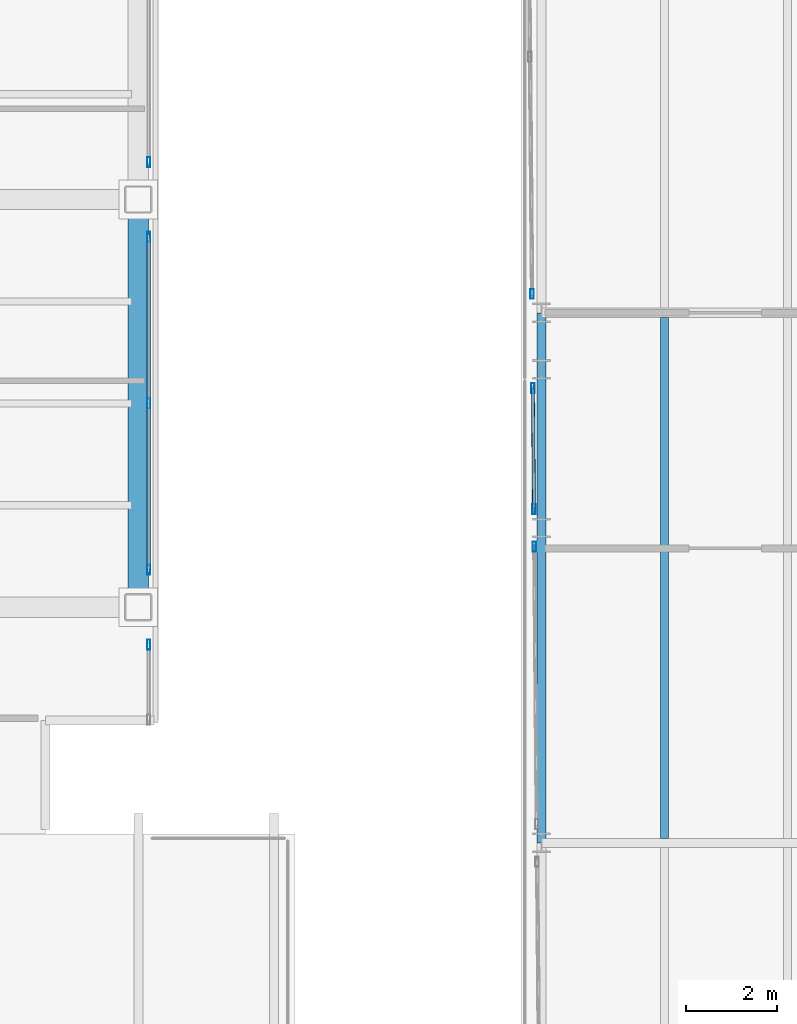
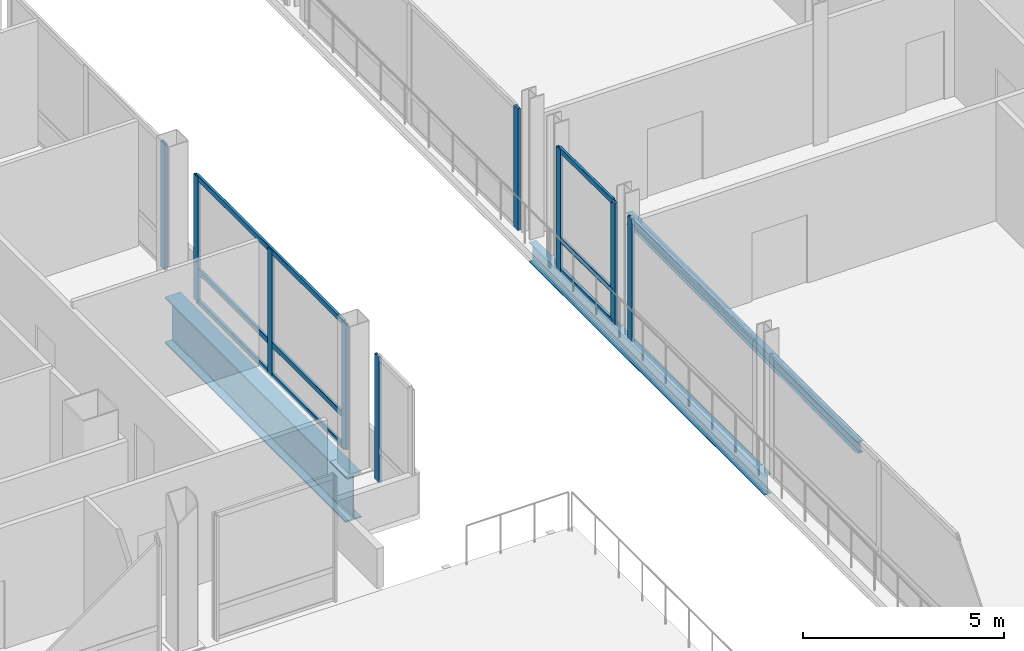
# One storey, part 15 of 34: 15 members, 3 beams, 6 elements without a shape of their own.
"""IFC4 building model written with IfcOpenShell, lengths in metres."""

from ifc_helpers import new_model, si_unit, direction, frame, origin, origin_2d, place, context, subcontext, project, spatial, hollow_rectangle, i_section, extrude, material, material_profile, profile_set, type_object, element, aggregate, save


model = new_model("IFC4")

# Units and contexts
model_context = context("Model", 3, precision=1e-05, world=origin(), true_north=direction((0.0, 1.0)))
body_context = subcontext(model_context, "Body", "Model", "MODEL_VIEW")
ifc_project = project(units=[si_unit("LENGTHUNIT", "METRE"), si_unit("AREAUNIT", "SQUARE_METRE"), si_unit("VOLUMEUNIT", "CUBIC_METRE"), si_unit("PLANEANGLEUNIT", "RADIAN"), si_unit("MASSUNIT", "GRAM", prefix="KILO")], contexts=[model_context])

# Site, building, storey
site_placement = place(None, origin())
site = spatial("IfcSite", under=ifc_project, at=site_placement, CompositionType="ELEMENT")
building_placement = place(site_placement, origin())
building = spatial("IfcBuilding", under=site, at=building_placement, Name="Noeulbin Bourse Tower", CompositionType="ELEMENT")
storey_placement = place(building_placement, frame((0.0, 0.0, 22.0)))
storey = spatial("IfcBuildingStorey", under=building, at=storey_placement, Name="L05", CompositionType="ELEMENT", Elevation=22.0)

# Beams
ifc_material_1 = material(Name="Steel S355", Category="steel")
ifc_material_profile_1 = material_profile(ifc_material_1, i_section(OverallWidth=0.199951171875, OverallDepth=0.60009765625, WebThickness=0.010986328125, FlangeThickness=0.01708984375, FilletRadius=0.02197265625, at=origin_2d()), Name="H-600x200x11x17", Category="LoadBearing")
ifc_profile_set_1 = profile_set([ifc_material_profile_1], Name="Steel S355")
beam_type_1 = type_object("IfcBeamType", Name="BM-GRD-600", PredefinedType="USERDEFINED", material=ifc_profile_set_1)
beam_1_placement = place(storey_placement, frame((60.449951171875, 14.800048828125, -0.52001953125), z_axis=(0.0, 1.0, 0.0), x_axis=(-1.0, 0.0, 0.0)))
element("IfcBeam", 1, at=beam_1_placement, inside=storey, type_object=beam_type_1, Name="Market Hall Girder NS L05-12", ObjectType="GIRDER", PredefinedType="USERDEFINED", context=body_context, shape_type="SweptSolid", body=[
    extrude(i_section(OverallWidth=0.199951171875, OverallDepth=0.60009765625, WebThickness=0.010986328125, FlangeThickness=0.01708984375, FilletRadius=0.02197265625, at=origin_2d()), origin(), (0.0, 0.0, 1.0), 11.699951171875),
])
ifc_material_profile_2 = material_profile(ifc_material_1, i_section(OverallWidth=0.175048828125, OverallDepth=0.35009765625, WebThickness=0.007080078125, FlangeThickness=0.010986328125, FilletRadius=0.013916015625, at=origin_2d()), Name="H-350x175x7x11", Category="LoadBearing")
ifc_profile_set_2 = profile_set([ifc_material_profile_2], Name="Steel S355")
beam_type_2 = type_object("IfcBeamType", Name="BM-JST-350", PredefinedType="JOIST", material=ifc_profile_set_2)
beam_2_placement = place(storey_placement, frame((63.166748046875, 14.89990234375, -0.39501953125), z_axis=(0.0, 1.0, 0.0), x_axis=(-1.0, 0.0, 0.0)))
element("IfcBeam", 2, at=beam_2_placement, inside=storey, type_object=beam_type_2, Name="Market Hall Secondary Joist L05-02", PredefinedType="JOIST", context=body_context, shape_type="SweptSolid", body=[
    extrude(i_section(OverallWidth=0.175048828125, OverallDepth=0.35009765625, WebThickness=0.007080078125, FlangeThickness=0.010986328125, FilletRadius=0.013916015625, at=origin_2d()), origin(), (0.0, 0.0, 1.0), 11.5),
])
ifc_material_2 = material(Name="Steel S460", Category="steel")
ifc_material_profile_3 = material_profile(ifc_material_2, i_section(OverallWidth=0.449951171875, OverallDepth=1.39990234375, WebThickness=0.02392578125, FlangeThickness=0.0400390625, FilletRadius=0.02392578125, at=origin_2d()), Name="PG-1400x450x24x40", Category="LoadBearing")
ifc_profile_set_3 = profile_set([ifc_material_profile_3], Name="Steel S460")
beam_type_3 = type_object("IfcBeamType", Name="BM-TRF-1400", PredefinedType="USERDEFINED", material=ifc_profile_set_3)
beam_3_placement = place(storey_placement, frame((51.550048828125, 20.0, -0.93994140625), z_axis=(0.0, 1.0, 0.0), x_axis=(-1.0, 0.0, 0.0)))
element("IfcBeam", 3, at=beam_3_placement, inside=storey, type_object=beam_type_3, Name="East Spandrel L05-1", ObjectType="GIRDER", PredefinedType="USERDEFINED", context=body_context, shape_type="SweptSolid", body=[
    extrude(i_section(OverallWidth=0.449951171875, OverallDepth=1.39990234375, WebThickness=0.02392578125, FlangeThickness=0.0400390625, FilletRadius=0.02392578125, at=origin_2d()), origin(), (0.0, 0.0, 1.0), 9.0),
])

# Curtain wall, member
ifc_material_3 = material(Name="Laminated Clear Low-E Glass", Category="glass")
curtain_wall_type_1 = type_object("IfcCurtainWallType", Name="CW-SYS-1", PredefinedType="NOTDEFINED", material=ifc_material_3)
curtain_wall_1_placement = place(storey_placement, origin())
curtain_wall_1 = element("IfcCurtainWall", 4, at=curtain_wall_1_placement, inside=storey, type_object=curtain_wall_type_1, Name="Unitised Curtain Wall CW-L05-MKT-W-S2", PredefinedType="NOTDEFINED")
ifc_material_4 = material(Name="Anodised Aluminium 6063-T6", Category="aluminium")
ifc_material_profile_4 = material_profile(ifc_material_4, hollow_rectangle(XDim=0.074951171875, YDim=0.219970703125, WallThickness=0.0048828125, InnerFilletRadius=0.00244140625, OuterFilletRadius=0.0048828125, at=origin_2d()), Name="ALU-MULL-75x220x5", Category="LoadBearing")
ifc_profile_set_4 = profile_set([ifc_material_profile_4], Name="Anodised Aluminium 6063-T6")
member_type_1 = type_object("IfcMemberType", Name="CW-SYS-1-MUL", PredefinedType="MULLION", material=ifc_profile_set_4)
member_1_placement = place(storey_placement, frame((60.29150390625, 21.3359375, -0.02001953125), z_axis=(0.0, 0.0, 1.0), x_axis=(1.0, 0.0, 0.0)))
member_1 = element("IfcMember", 5, at=member_1_placement, type_object=member_type_1, Name="Curtain Wall Mullion CW-L05-MKT-W-S2-M01", PredefinedType="MULLION", context=body_context, shape_type="SweptSolid", body=[
    extrude(hollow_rectangle(XDim=0.074951171875, YDim=0.219970703125, WallThickness=0.0048828125, InnerFilletRadius=0.00244140625, OuterFilletRadius=0.0048828125, at=origin_2d()), origin(), (0.0, 0.0, 1.0), 3.7099609375),
])
aggregate(curtain_wall_1, [member_1])

# Curtain wall, members
curtain_wall_2_placement = place(storey_placement, origin())
curtain_wall_2 = element("IfcCurtainWall", 6, at=curtain_wall_2_placement, inside=storey, type_object=curtain_wall_type_1, Name="Unitised Curtain Wall CW-L05-MKT-W-S3", PredefinedType="NOTDEFINED")
member_2_placement = place(storey_placement, frame((60.283935546875, 22.1640625, -0.02001953125), z_axis=(0.0, 0.0, 1.0), x_axis=(1.0, 0.0, 0.0)))
member_2 = element("IfcMember", 7, at=member_2_placement, type_object=member_type_1, Name="Curtain Wall Mullion CW-L05-MKT-W-S3-M00", PredefinedType="MULLION", context=body_context, shape_type="SweptSolid", body=[
    extrude(hollow_rectangle(XDim=0.074951171875, YDim=0.219970703125, WallThickness=0.0048828125, InnerFilletRadius=0.00244140625, OuterFilletRadius=0.0048828125, at=origin_2d()), origin(), (0.0, 0.0, 1.0), 3.7099609375),
])
member_3_placement = place(storey_placement, frame((60.260498046875, 24.8359375, -0.02001953125), z_axis=(0.0, 0.0, 1.0), x_axis=(1.0, 0.0, 0.0)))
member_3 = element("IfcMember", 8, at=member_3_placement, type_object=member_type_1, Name="Curtain Wall Mullion CW-L05-MKT-W-S3-M01", PredefinedType="MULLION", context=body_context, shape_type="SweptSolid", body=[
    extrude(hollow_rectangle(XDim=0.074951171875, YDim=0.219970703125, WallThickness=0.0048828125, InnerFilletRadius=0.00244140625, OuterFilletRadius=0.0048828125, at=origin_2d()), origin(), (0.0, 0.0, 1.0), 3.7099609375),
])

# Curtain wall, member
curtain_wall_3_placement = place(storey_placement, origin())
curtain_wall_3 = element("IfcCurtainWall", 9, at=curtain_wall_3_placement, inside=storey, type_object=curtain_wall_type_1, Name="Unitised Curtain Wall CW-L05-MKT-W-S4", PredefinedType="NOTDEFINED")
member_4_placement = place(storey_placement, frame((60.24169921875, 26.9140625, -0.02001953125), z_axis=(0.0, 0.0, 1.0), x_axis=(1.0, 0.0, 0.0)))
member_4 = element("IfcMember", 10, at=member_4_placement, type_object=member_type_1, Name="Curtain Wall Mullion CW-L05-MKT-W-S4-M00", PredefinedType="MULLION", context=body_context, shape_type="SweptSolid", body=[
    extrude(hollow_rectangle(XDim=0.074951171875, YDim=0.219970703125, WallThickness=0.0048828125, InnerFilletRadius=0.00244140625, OuterFilletRadius=0.0048828125, at=origin_2d()), origin(), (0.0, 0.0, 1.0), 3.7099609375),
])
aggregate(curtain_wall_3, [member_4])

# Member
ifc_material_profile_5 = material_profile(ifc_material_4, hollow_rectangle(XDim=0.074951171875, YDim=0.159912109375, WallThickness=0.0048828125, InnerFilletRadius=0.00244140625, OuterFilletRadius=0.0048828125, at=origin_2d()), Name="ALU-TRAN-75x160x5", Category="LoadBearing")
ifc_profile_set_5 = profile_set([ifc_material_profile_5], Name="Anodised Aluminium 6063-T6")
member_type_2 = type_object("IfcMemberType", Name="CW-SYS-1-TRN", PredefinedType="USERDEFINED", material=ifc_profile_set_5)
member_5_placement = place(storey_placement, frame((60.283935546875, 22.174072265625, 0.010009765625), z_axis=(-0.008837806187, 0.999960945828, 0.0), x_axis=(-0.999960945828, -0.008837806187, 0.0)))
member_5 = element("IfcMember", 11, at=member_5_placement, type_object=member_type_2, Name="Curtain Wall Transom CW-L05-MKT-W-S3-T00", ObjectType="TRANSOM", PredefinedType="USERDEFINED", context=body_context, shape_type="SweptSolid", body=[
    extrude(hollow_rectangle(XDim=0.074951171875, YDim=0.159912109375, WallThickness=0.0048828125, InnerFilletRadius=0.00244140625, OuterFilletRadius=0.0048828125, at=origin_2d()), origin(), (0.0, 0.0, 1.0), 2.65185546875),
])

member_6_placement = place(storey_placement, frame((60.283935546875, 22.174072265625, 0.949951171875), z_axis=(-0.008837806187, 0.999960945828, 0.0), x_axis=(-0.999960945828, -0.008837806187, 0.0)))
member_6 = element("IfcMember", 12, at=member_6_placement, type_object=member_type_2, Name="Curtain Wall Transom CW-L05-MKT-W-S3-T01", ObjectType="TRANSOM", PredefinedType="USERDEFINED", context=body_context, shape_type="SweptSolid", body=[
    extrude(hollow_rectangle(XDim=0.074951171875, YDim=0.159912109375, WallThickness=0.0048828125, InnerFilletRadius=0.00244140625, OuterFilletRadius=0.0048828125, at=origin_2d()), origin(), (0.0, 0.0, 1.0), 2.65185546875),
])

member_7_placement = place(storey_placement, frame((60.283935546875, 22.174072265625, 3.659912109375), z_axis=(-0.008837806187, 0.999960945828, 0.0), x_axis=(-0.999960945828, -0.008837806187, 0.0)))
member_7 = element("IfcMember", 13, at=member_7_placement, type_object=member_type_2, Name="Curtain Wall Transom CW-L05-MKT-W-S3-T02", ObjectType="TRANSOM", PredefinedType="USERDEFINED", context=body_context, shape_type="SweptSolid", body=[
    extrude(hollow_rectangle(XDim=0.074951171875, YDim=0.159912109375, WallThickness=0.0048828125, InnerFilletRadius=0.00244140625, OuterFilletRadius=0.0048828125, at=origin_2d()), origin(), (0.0, 0.0, 1.0), 2.65185546875),
])

aggregate(curtain_wall_2, [member_2, member_3, member_5, member_6, member_7])

# Curtain wall, member
ifc_material_5 = material(Name="Dark Solar-Control Double Glazing", Category="glass")
curtain_wall_type_2 = type_object("IfcCurtainWallType", Name="CW-SYS-2", PredefinedType="NOTDEFINED", material=ifc_material_5)
curtain_wall_4_placement = place(storey_placement, origin())
curtain_wall_4 = element("IfcCurtainWall", 14, at=curtain_wall_4_placement, inside=storey, type_object=curtain_wall_type_2, Name="Unitised Curtain Wall CW-L05-E-S1", PredefinedType="NOTDEFINED")
ifc_material_profile_6 = material_profile(ifc_material_4, hollow_rectangle(XDim=0.074951171875, YDim=0.219970703125, WallThickness=0.0048828125, InnerFilletRadius=0.00244140625, OuterFilletRadius=0.0048828125, at=origin_2d()), Name="ALU-MULL-75x220x5", Category="LoadBearing")
ifc_profile_set_6 = profile_set([ifc_material_profile_6], Name="Anodised Aluminium 6063-T6")
member_type_3 = type_object("IfcMemberType", Name="CW-SYS-2-MUL", PredefinedType="MULLION", material=ifc_profile_set_6)
member_8_placement = place(storey_placement, frame((51.780029296875, 19.175048828125, -0.02001953125), z_axis=(0.0, 0.0, 1.0), x_axis=(1.0, 0.0, 0.0)))
member_8 = element("IfcMember", 15, at=member_8_placement, type_object=member_type_3, Name="Curtain Wall Mullion CW-L05-E-S1-M01", PredefinedType="MULLION", context=body_context, shape_type="SweptSolid", body=[
    extrude(hollow_rectangle(XDim=0.074951171875, YDim=0.219970703125, WallThickness=0.0048828125, InnerFilletRadius=0.00244140625, OuterFilletRadius=0.0048828125, at=origin_2d()), origin(), (0.0, 0.0, 1.0), 3.820068359375),
])
aggregate(curtain_wall_4, [member_8])

# Curtain wall, members
curtain_wall_5_placement = place(storey_placement, origin())
curtain_wall_5 = element("IfcCurtainWall", 16, at=curtain_wall_5_placement, inside=storey, type_object=curtain_wall_type_2, Name="Unitised Curtain Wall CW-L05-E-S2", PredefinedType="NOTDEFINED")
member_9_placement = place(storey_placement, frame((51.780029296875, 20.824951171875, -0.02001953125), z_axis=(0.0, 0.0, 1.0), x_axis=(1.0, 0.0, 0.0)))
member_9 = element("IfcMember", 17, at=member_9_placement, type_object=member_type_3, Name="Curtain Wall Mullion CW-L05-E-S2-M00", PredefinedType="MULLION", context=body_context, shape_type="SweptSolid", body=[
    extrude(hollow_rectangle(XDim=0.074951171875, YDim=0.219970703125, WallThickness=0.0048828125, InnerFilletRadius=0.00244140625, OuterFilletRadius=0.0048828125, at=origin_2d()), origin(), (0.0, 0.0, 1.0), 3.820068359375),
])
member_10_placement = place(storey_placement, frame((51.780029296875, 24.5, -0.02001953125), z_axis=(0.0, 0.0, 1.0), x_axis=(1.0, 0.0, 0.0)))
member_10 = element("IfcMember", 18, at=member_10_placement, type_object=member_type_3, Name="Curtain Wall Mullion CW-L05-E-S2-M01", PredefinedType="MULLION", context=body_context, shape_type="SweptSolid", body=[
    extrude(hollow_rectangle(XDim=0.074951171875, YDim=0.219970703125, WallThickness=0.0048828125, InnerFilletRadius=0.00244140625, OuterFilletRadius=0.0048828125, at=origin_2d()), origin(), (0.0, 0.0, 1.0), 3.820068359375),
])
member_11_placement = place(storey_placement, frame((51.780029296875, 28.175048828125, -0.02001953125), z_axis=(0.0, 0.0, 1.0), x_axis=(1.0, 0.0, 0.0)))
member_11 = element("IfcMember", 19, at=member_11_placement, type_object=member_type_3, Name="Curtain Wall Mullion CW-L05-E-S2-M02", PredefinedType="MULLION", context=body_context, shape_type="SweptSolid", body=[
    extrude(hollow_rectangle(XDim=0.074951171875, YDim=0.219970703125, WallThickness=0.0048828125, InnerFilletRadius=0.00244140625, OuterFilletRadius=0.0048828125, at=origin_2d()), origin(), (0.0, 0.0, 1.0), 3.820068359375),
])

# Curtain wall, member
curtain_wall_6_placement = place(storey_placement, origin())
curtain_wall_6 = element("IfcCurtainWall", 20, at=curtain_wall_6_placement, inside=storey, type_object=curtain_wall_type_2, Name="Unitised Curtain Wall CW-L05-E-S3", PredefinedType="NOTDEFINED")
member_12_placement = place(storey_placement, frame((51.780029296875, 29.824951171875, -0.02001953125), z_axis=(0.0, 0.0, 1.0), x_axis=(1.0, 0.0, 0.0)))
member_12 = element("IfcMember", 21, at=member_12_placement, type_object=member_type_3, Name="Curtain Wall Mullion CW-L05-E-S3-M00", PredefinedType="MULLION", context=body_context, shape_type="SweptSolid", body=[
    extrude(hollow_rectangle(XDim=0.074951171875, YDim=0.219970703125, WallThickness=0.0048828125, InnerFilletRadius=0.00244140625, OuterFilletRadius=0.0048828125, at=origin_2d()), origin(), (0.0, 0.0, 1.0), 3.820068359375),
])
aggregate(curtain_wall_6, [member_12])

# Member
ifc_material_profile_7 = material_profile(ifc_material_4, hollow_rectangle(XDim=0.074951171875, YDim=0.159912109375, WallThickness=0.0048828125, InnerFilletRadius=0.00244140625, OuterFilletRadius=0.0048828125, at=origin_2d()), Name="ALU-TRAN-75x160x5", Category="LoadBearing")
ifc_profile_set_7 = profile_set([ifc_material_profile_7], Name="Anodised Aluminium 6063-T6")
member_type_4 = type_object("IfcMemberType", Name="CW-SYS-2-TRN", PredefinedType="USERDEFINED", material=ifc_profile_set_7)
member_13_placement = place(storey_placement, frame((51.780029296875, 20.8349609375, 0.010009765625), z_axis=(0.0, 1.0, 0.0), x_axis=(-1.0, 0.0, 0.0)))
member_13 = element("IfcMember", 22, at=member_13_placement, type_object=member_type_4, Name="Curtain Wall Transom CW-L05-E-S2-T00", ObjectType="TRANSOM", PredefinedType="USERDEFINED", context=body_context, shape_type="SweptSolid", body=[
    extrude(hollow_rectangle(XDim=0.074951171875, YDim=0.159912109375, WallThickness=0.0048828125, InnerFilletRadius=0.00244140625, OuterFilletRadius=0.0048828125, at=origin_2d()), origin(), (0.0, 0.0, 1.0), 7.330078125),
])

member_14_placement = place(storey_placement, frame((51.780029296875, 20.8349609375, 0.949951171875), z_axis=(0.0, 1.0, 0.0), x_axis=(-1.0, 0.0, 0.0)))
member_14 = element("IfcMember", 23, at=member_14_placement, type_object=member_type_4, Name="Curtain Wall Transom CW-L05-E-S2-T01", ObjectType="TRANSOM", PredefinedType="USERDEFINED", context=body_context, shape_type="SweptSolid", body=[
    extrude(hollow_rectangle(XDim=0.074951171875, YDim=0.159912109375, WallThickness=0.0048828125, InnerFilletRadius=0.00244140625, OuterFilletRadius=0.0048828125, at=origin_2d()), origin(), (0.0, 0.0, 1.0), 7.330078125),
])

member_15_placement = place(storey_placement, frame((51.780029296875, 20.8349609375, 3.77001953125), z_axis=(0.0, 1.0, 0.0), x_axis=(-1.0, 0.0, 0.0)))
member_15 = element("IfcMember", 24, at=member_15_placement, type_object=member_type_4, Name="Curtain Wall Transom CW-L05-E-S2-T02", ObjectType="TRANSOM", PredefinedType="USERDEFINED", context=body_context, shape_type="SweptSolid", body=[
    extrude(hollow_rectangle(XDim=0.074951171875, YDim=0.159912109375, WallThickness=0.0048828125, InnerFilletRadius=0.00244140625, OuterFilletRadius=0.0048828125, at=origin_2d()), origin(), (0.0, 0.0, 1.0), 7.330078125),
])

aggregate(curtain_wall_5, [member_9, member_10, member_11, member_13, member_14, member_15])

save(model, "model.ifc")
